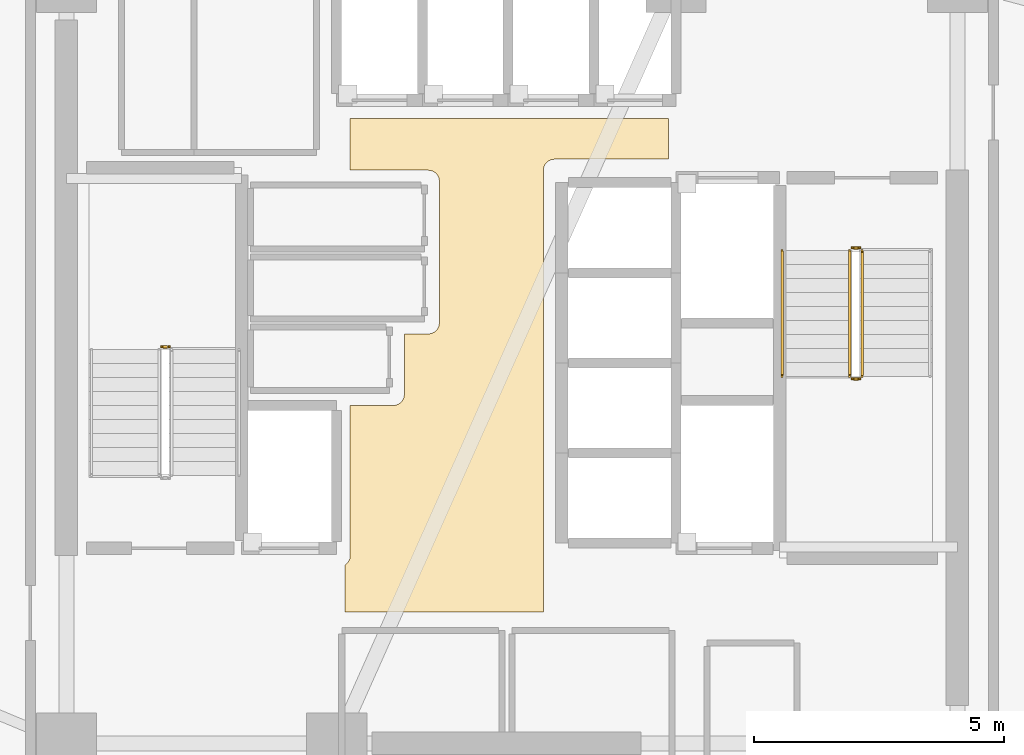
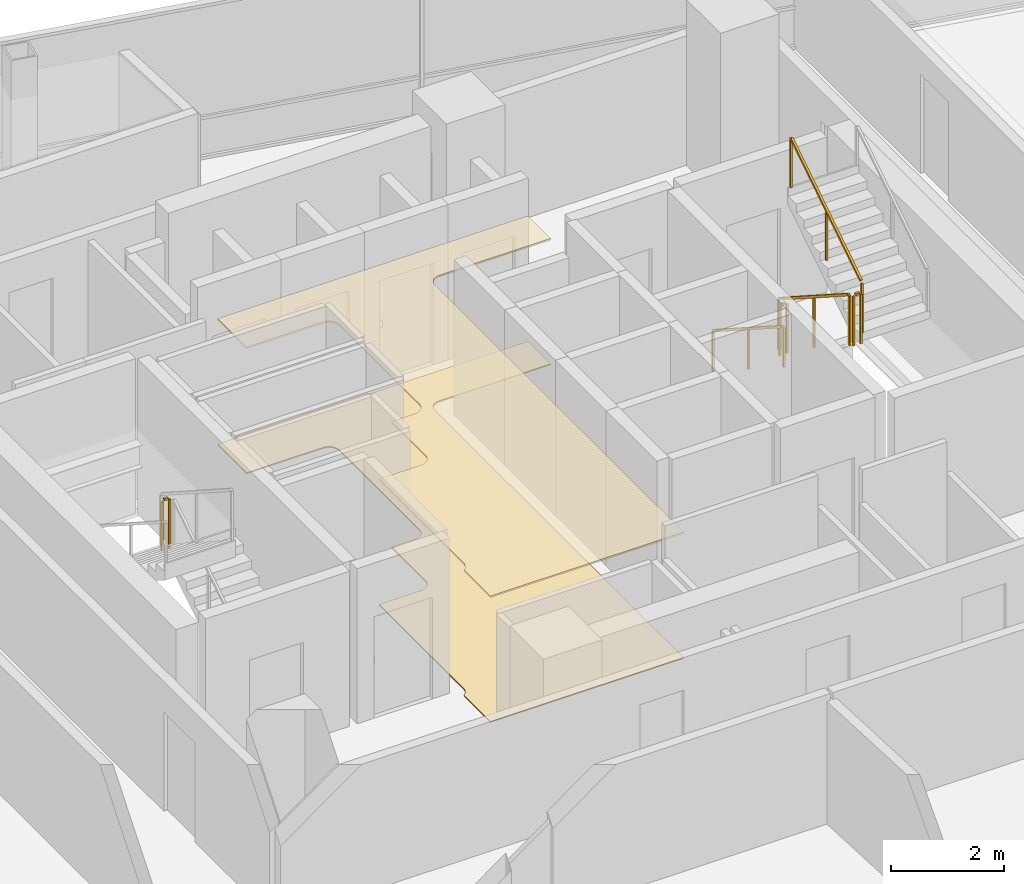
# One storey, part 16 of 17: 6 railings, 2 coverings.
"""IFC4 building model written with IfcOpenShell, lengths in metres."""

from ifc_helpers import new_model, si_unit, direction, frame, origin, origin_2d, place, context, subcontext, project, spatial, polyline, rectangle, outline, extrude, material, layer, layer_set, type_object, element, save


model = new_model("IFC4")

# Units and contexts
model_context = context("Model", 3, precision=1e-05, world=origin(), true_north=direction((0.0, 1.0)))
body_context = subcontext(model_context, "Body", "Model", "MODEL_VIEW")
ifc_project = project(units=[si_unit("LENGTHUNIT", "METRE"), si_unit("AREAUNIT", "SQUARE_METRE"), si_unit("VOLUMEUNIT", "CUBIC_METRE"), si_unit("PLANEANGLEUNIT", "RADIAN"), si_unit("MASSUNIT", "GRAM", prefix="KILO")], contexts=[model_context])

# Site, building, storey
site_placement = place(None, origin())
site = spatial("IfcSite", under=ifc_project, at=site_placement, CompositionType="ELEMENT")
building_placement = place(site_placement, origin())
building = spatial("IfcBuilding", under=site, at=building_placement, Name="Tharavind Bronze Gate", CompositionType="ELEMENT")
storey_placement = place(building_placement, frame((0.0, 0.0, 218.449951171875)))
storey = spatial("IfcBuildingStorey", under=building, at=storey_placement, Name="L56", CompositionType="ELEMENT", Elevation=218.449951171875)

# Coverings
ifc_material_1 = material(Name="Perforated Bronze Acoustic Panel", Category="bronze")
ifc_layer_1 = layer(ifc_material_1, 0.044921875)
ifc_layer_set_1 = layer_set([ifc_layer_1], Name="Perforated Bronze Acoustic Panel")
covering_type_1 = type_object("IfcCoveringType", Name="ACOUSTIC BRONZE BAFFLE CEILING", PredefinedType="CEILING", material=ifc_layer_set_1)
covering_1_placement = place(storey_placement, frame((0.0, 0.0, 2.7099609375)))
element("IfcCovering", 1, at=covering_1_placement, inside=storey, type_object=covering_type_1, Name="L56-C-LL suspended ceiling", PredefinedType="CEILING", context=body_context, shape_type="SweptSolid", body=[
    extrude(outline(polyline([(-3.330078125, -4.97998046875), (0.6298828125, -4.97998046875), (0.6298828125, 3.85009765625), (0.631103515625, 3.87158203125), (0.63427734375, 3.892822265625), (0.639404296875, 3.913818359375), (0.646728515625, 3.93408203125), (0.656005859375, 3.95361328125), (0.6669921875, 3.97216796875), (0.679931640625, 3.989501953125), (0.6943359375, 4.005615234375), (0.71044921875, 4.02001953125), (0.727783203125, 4.032958984375), (0.746337890625, 4.0439453125), (0.765869140625, 4.05322265625), (0.7861328125, 4.060546875), (0.80712890625, 4.06591796875), (0.828369140625, 4.06884765625), (0.85009765625, 4.070068359375), (3.1298828125, 4.070068359375), (3.1298828125, 4.8798828125), (-3.22998046875, 4.8798828125), (-3.22998046875, 3.85009765625), (-1.669921875, 3.85009765625), (-1.6484375, 3.848876953125), (-1.627197265625, 3.845703125), (-1.606201171875, 3.840576171875), (-1.585693359375, 3.833251953125), (-1.56640625, 3.823974609375), (-1.5478515625, 3.81298828125), (-1.530517578125, 3.800048828125), (-1.514404296875, 3.78564453125), (-1.5, 3.76953125), (-1.487060546875, 3.752197265625), (-1.47607421875, 3.733642578125), (-1.466796875, 3.714111328125), (-1.45947265625, 3.69384765625), (-1.4541015625, 3.6728515625), (-1.451171875, 3.651611328125), (-1.449951171875, 3.6298828125), (-1.449951171875, 0.800048828125), (-1.451171875, 0.7783203125), (-1.4541015625, 0.757080078125), (-1.45947265625, 0.736083984375), (-1.466796875, 0.7158203125), (-1.47607421875, 0.6962890625), (-1.487060546875, 0.677734375), (-1.5, 0.660400390625), (-1.514404296875, 0.644287109375), (-1.530517578125, 0.6298828125), (-1.5478515625, 0.6171875), (-1.56640625, 0.60595703125), (-1.585693359375, 0.5966796875), (-1.606201171875, 0.589599609375), (-1.627197265625, 0.584228515625), (-1.6484375, 0.5810546875), (-1.669921875, 0.580078125), (-2.14990234375, 0.580078125), (-2.14990234375, -0.6298828125), (-2.151123046875, -0.651611328125), (-2.154296875, -0.6728515625), (-2.159423828125, -0.69384765625), (-2.166748046875, -0.714111328125), (-2.176025390625, -0.733642578125), (-2.18701171875, -0.752197265625), (-2.199951171875, -0.76953125), (-2.21435546875, -0.78564453125), (-2.23046875, -0.800048828125), (-2.247802734375, -0.81298828125), (-2.266357421875, -0.823974609375), (-2.285888671875, -0.833251953125), (-2.30615234375, -0.840576171875), (-2.3271484375, -0.845703125), (-2.348388671875, -0.848876953125), (-2.3701171875, -0.85009765625), (-3.22998046875, -0.85009765625), (-3.22998046875, -3.85009765625), (-3.231201171875, -3.87158203125), (-3.234130859375, -3.892822265625), (-3.239501953125, -3.913818359375), (-3.24658203125, -3.93408203125), (-3.256103515625, -3.95361328125), (-3.26708984375, -3.97216796875), (-3.27978515625, -3.989501953125), (-3.29443359375, -4.005615234375), (-3.310302734375, -4.02001953125), (-3.327880859375, -4.032958984375), (-3.330078125, -4.0341796875), (-3.330078125, -4.97998046875)])), origin(), (0.0, 0.0, 1.0), 0.03515625),
])
ifc_material_2 = material(Name="Honed Travertine Limestone", Category="masonry")
ifc_layer_2 = layer(ifc_material_2, 0.030029296875)
ifc_layer_set_2 = layer_set([ifc_layer_2], Name="Honed Travertine Limestone")
covering_type_2 = type_object("IfcCoveringType", Name="HONED LIMESTONE FLOORING", PredefinedType="FLOORING", material=ifc_layer_set_2)
covering_2_placement = place(storey_placement, origin())
element("IfcCovering", 2, at=covering_2_placement, inside=storey, type_object=covering_type_2, Name="L56-C-LL floor finish", PredefinedType="FLOORING", context=body_context, shape_type="SweptSolid", body=[
    extrude(outline(polyline([(-3.330078125, -4.97998046875), (0.6298828125, -4.97998046875), (0.6298828125, 3.85009765625), (0.631103515625, 3.87158203125), (0.63427734375, 3.892822265625), (0.639404296875, 3.913818359375), (0.646728515625, 3.93408203125), (0.656005859375, 3.95361328125), (0.6669921875, 3.97216796875), (0.679931640625, 3.989501953125), (0.6943359375, 4.005615234375), (0.71044921875, 4.02001953125), (0.727783203125, 4.032958984375), (0.746337890625, 4.0439453125), (0.765869140625, 4.05322265625), (0.7861328125, 4.060546875), (0.80712890625, 4.06591796875), (0.828369140625, 4.06884765625), (0.85009765625, 4.070068359375), (3.1298828125, 4.070068359375), (3.1298828125, 4.8798828125), (-3.22998046875, 4.8798828125), (-3.22998046875, 3.85009765625), (-1.669921875, 3.85009765625), (-1.6484375, 3.848876953125), (-1.627197265625, 3.845703125), (-1.606201171875, 3.840576171875), (-1.585693359375, 3.833251953125), (-1.56640625, 3.823974609375), (-1.5478515625, 3.81298828125), (-1.530517578125, 3.800048828125), (-1.514404296875, 3.78564453125), (-1.5, 3.76953125), (-1.487060546875, 3.752197265625), (-1.47607421875, 3.733642578125), (-1.466796875, 3.714111328125), (-1.45947265625, 3.69384765625), (-1.4541015625, 3.6728515625), (-1.451171875, 3.651611328125), (-1.449951171875, 3.6298828125), (-1.449951171875, 0.800048828125), (-1.451171875, 0.7783203125), (-1.4541015625, 0.757080078125), (-1.45947265625, 0.736083984375), (-1.466796875, 0.7158203125), (-1.47607421875, 0.6962890625), (-1.487060546875, 0.677734375), (-1.5, 0.660400390625), (-1.514404296875, 0.644287109375), (-1.530517578125, 0.6298828125), (-1.5478515625, 0.6171875), (-1.56640625, 0.60595703125), (-1.585693359375, 0.5966796875), (-1.606201171875, 0.589599609375), (-1.627197265625, 0.584228515625), (-1.6484375, 0.5810546875), (-1.669921875, 0.580078125), (-2.14990234375, 0.580078125), (-2.14990234375, -0.6298828125), (-2.151123046875, -0.651611328125), (-2.154296875, -0.6728515625), (-2.159423828125, -0.69384765625), (-2.166748046875, -0.714111328125), (-2.176025390625, -0.733642578125), (-2.18701171875, -0.752197265625), (-2.199951171875, -0.76953125), (-2.21435546875, -0.78564453125), (-2.23046875, -0.800048828125), (-2.247802734375, -0.81298828125), (-2.266357421875, -0.823974609375), (-2.285888671875, -0.833251953125), (-2.30615234375, -0.840576171875), (-2.3271484375, -0.845703125), (-2.348388671875, -0.848876953125), (-2.3701171875, -0.85009765625), (-3.22998046875, -0.85009765625), (-3.22998046875, -3.85009765625), (-3.231201171875, -3.87158203125), (-3.234130859375, -3.892822265625), (-3.239501953125, -3.913818359375), (-3.24658203125, -3.93408203125), (-3.256103515625, -3.95361328125), (-3.26708984375, -3.97216796875), (-3.27978515625, -3.989501953125), (-3.29443359375, -4.005615234375), (-3.310302734375, -4.02001953125), (-3.327880859375, -4.032958984375), (-3.330078125, -4.0341796875), (-3.330078125, -4.97998046875)])), origin(), (0.0, 0.0, 1.0), 0.025146484375),
])

# Railings
ifc_material_3 = material(Name="Brushed Bronze Alloy", Category="metal")
railing_type_1 = type_object("IfcRailingType", Name="STAIR BRONZE HANDRAIL 900", PredefinedType="HANDRAIL", material=ifc_material_3)
railing_1_placement = place(storey_placement, frame((5.39990234375, 2.25, 0.179931640625)))
element("IfcRailing", 3, at=railing_1_placement, inside=storey, type_object=railing_type_1, Name="L56 ST2 stair handrail 1", PredefinedType="HANDRAIL", context=body_context, shape_type="SweptSolid", body=[
    extrude(rectangle(XDim=0.048095703125, YDim=0.048095703125, at=origin_2d()), frame((0.0, -0.02685546875, 0.89306640625), z_axis=(0.0, -0.841162588446, 0.540782303519), x_axis=(1.0, 0.0, 0.0)), (0.0, 0.0, 1.0), 2.931884765625),
    extrude(rectangle(XDim=0.0400390625, YDim=0.0400390625, at=origin_2d()), origin(), (0.0, 0.0, 1.0), 0.847900390625),
    extrude(rectangle(XDim=0.0400390625, YDim=0.0400390625, at=origin_2d()), frame((0.0, -1.260009765625, 0.81005859375)), (0.0, 0.0, 1.0), 0.847900390625),
    extrude(rectangle(XDim=0.0400390625, YDim=0.0400390625, at=origin_2d()), frame((0.0, -2.52001953125, 1.6201171875)), (0.0, 0.0, 1.0), 0.847900390625),
])
railing_type_2 = type_object("IfcRailingType", Name="STAIR WELL GUARD RAILING 1120", PredefinedType="GUARDRAIL", material=ifc_material_3)
railing_2_placement = place(storey_placement, frame((-6.85009765625, 0.320068359375, 1.800048828125)))
element("IfcRailing", 4, at=railing_2_placement, inside=storey, type_object=railing_type_2, Name="L56 ST1 stair guard 2", PredefinedType="GUARDRAIL", context=body_context, shape_type="SweptSolid", body=[
    extrude(rectangle(XDim=0.048095703125, YDim=0.048095703125, at=origin_2d()), frame((-0.031982421875, 0.0, 1.09619140625), z_axis=(-1.0, 0.0, 0.0), x_axis=(0.0, -1.0, 0.0)), (0.0, 0.0, 1.0), 0.0859375),
    extrude(rectangle(XDim=0.0400390625, YDim=0.0400390625, at=origin_2d()), origin(), (0.0, 0.0, 1.0), 1.068115234375),
    extrude(rectangle(XDim=0.0400390625, YDim=0.0400390625, at=origin_2d()), frame((-0.14990234375, 0.0, 0.0)), (0.0, 0.0, 1.0), 1.068115234375),
])
railing_3_placement = place(storey_placement, frame((6.75, 2.25, 0.179931640625)))
element("IfcRailing", 5, at=railing_3_placement, inside=storey, type_object=railing_type_2, Name="L56 ST2 stair guard 1", PredefinedType="GUARDRAIL", context=body_context, shape_type="SweptSolid", body=[
    extrude(rectangle(XDim=0.048095703125, YDim=0.048095703125, at=origin_2d()), frame((0.0, -0.02685546875, 1.11328125), z_axis=(0.0, -0.841162588446, 0.540782303519), x_axis=(1.0, 0.0, 0.0)), (0.0, 0.0, 1.0), 2.931884765625),
    extrude(rectangle(XDim=0.0400390625, YDim=0.0400390625, at=origin_2d()), origin(), (0.0, 0.0, 1.0), 1.068115234375),
    extrude(rectangle(XDim=0.0400390625, YDim=0.0400390625, at=origin_2d()), frame((0.0, -1.260009765625, 0.81005859375)), (0.0, 0.0, 1.0), 1.068115234375),
    extrude(rectangle(XDim=0.0400390625, YDim=0.0400390625, at=origin_2d()), frame((0.0, -2.52001953125, 1.6201171875)), (0.0, 0.0, 1.0), 1.068115234375),
])
railing_4_placement = place(storey_placement, frame((6.800048828125, -0.320068359375, 1.800048828125)))
element("IfcRailing", 6, at=railing_4_placement, inside=storey, type_object=railing_type_2, Name="L56 ST2 stair guard 2", PredefinedType="GUARDRAIL", context=body_context, shape_type="SweptSolid", body=[
    extrude(rectangle(XDim=0.048095703125, YDim=0.048095703125, at=origin_2d()), frame((0.031982421875, 0.0, 1.09619140625), z_axis=(1.0, 0.0, 0.0), x_axis=(0.0, 1.0, 0.0)), (0.0, 0.0, 1.0), 0.0859375),
    extrude(rectangle(XDim=0.0400390625, YDim=0.0400390625, at=origin_2d()), origin(), (0.0, 0.0, 1.0), 1.068115234375),
    extrude(rectangle(XDim=0.0400390625, YDim=0.0400390625, at=origin_2d()), frame((0.14990234375, 0.0, 0.0)), (0.0, 0.0, 1.0), 1.068115234375),
])
railing_5_placement = place(storey_placement, frame((7.0, -0.27001953125, 1.97998046875)))
element("IfcRailing", 7, at=railing_5_placement, inside=storey, type_object=railing_type_2, Name="L56 ST2 stair guard 3", PredefinedType="GUARDRAIL", context=body_context, shape_type="SweptSolid", body=[
    extrude(rectangle(XDim=0.048095703125, YDim=0.048095703125, at=origin_2d()), frame((0.0, 0.02685546875, 1.11328125), z_axis=(0.0, 0.841162588446, 0.540782303519), x_axis=(-1.0, 0.0, 0.0)), (0.0, 0.0, 1.0), 2.931884765625),
    extrude(rectangle(XDim=0.0400390625, YDim=0.0400390625, at=origin_2d()), origin(), (0.0, 0.0, 1.0), 1.068115234375),
    extrude(rectangle(XDim=0.0400390625, YDim=0.0400390625, at=origin_2d()), frame((0.0, 1.260009765625, 0.81005859375)), (0.0, 0.0, 1.0), 1.068115234375),
    extrude(rectangle(XDim=0.0400390625, YDim=0.0400390625, at=origin_2d()), frame((0.0, 2.52001953125, 1.6201171875)), (0.0, 0.0, 1.0), 1.068115234375),
])
railing_6_placement = place(storey_placement, frame((6.800048828125, 2.300048828125, 0.0)))
element("IfcRailing", 8, at=railing_6_placement, inside=storey, type_object=railing_type_2, Name="L56 ST2 stair guard 4", PredefinedType="GUARDRAIL", context=body_context, shape_type="SweptSolid", body=[
    extrude(rectangle(XDim=0.048095703125, YDim=0.048095703125, at=origin_2d()), frame((0.031982421875, 0.0, 1.09619140625), z_axis=(1.0, 0.0, 0.0), x_axis=(0.0, 1.0, 0.0)), (0.0, 0.0, 1.0), 0.0859375),
    extrude(rectangle(XDim=0.0400390625, YDim=0.0400390625, at=origin_2d()), origin(), (0.0, 0.0, 1.0), 1.068115234375),
    extrude(rectangle(XDim=0.0400390625, YDim=0.0400390625, at=origin_2d()), frame((0.14990234375, 0.0, 0.0)), (0.0, 0.0, 1.0), 1.068115234375),
])

save(model, "model.ifc")
